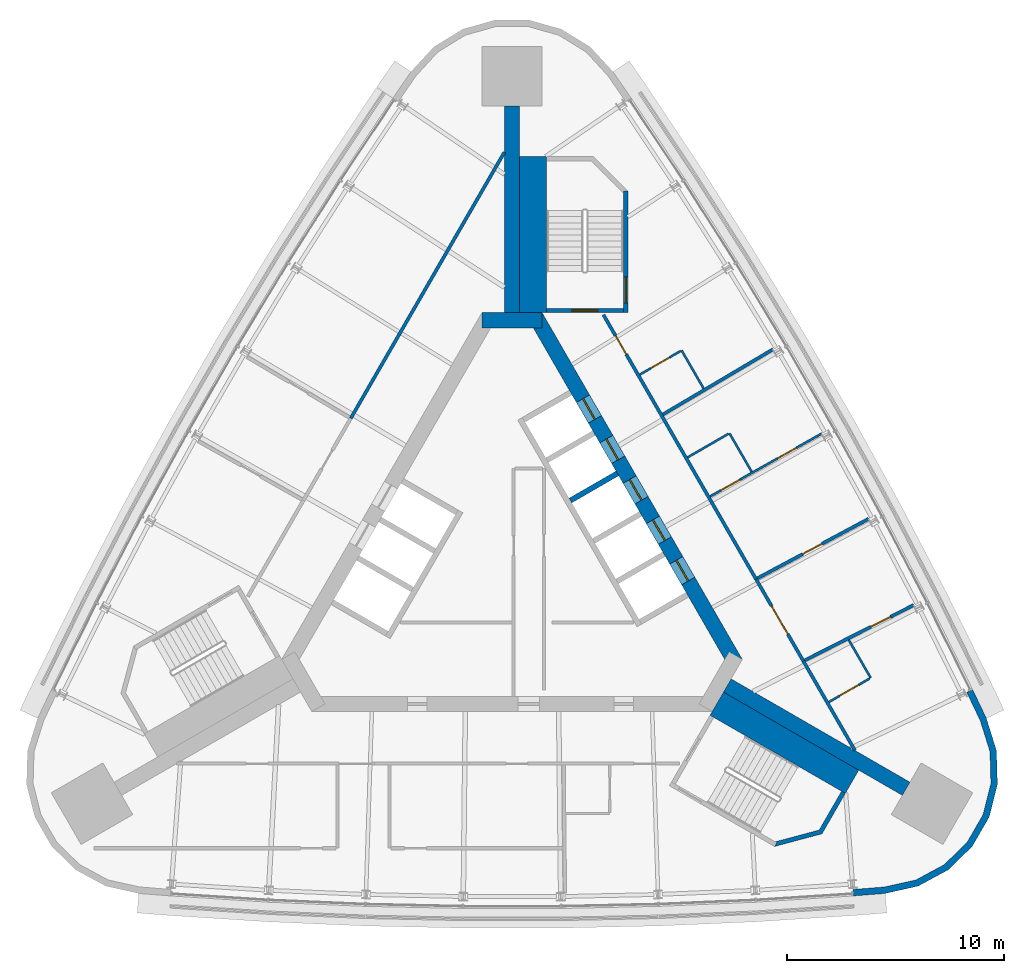
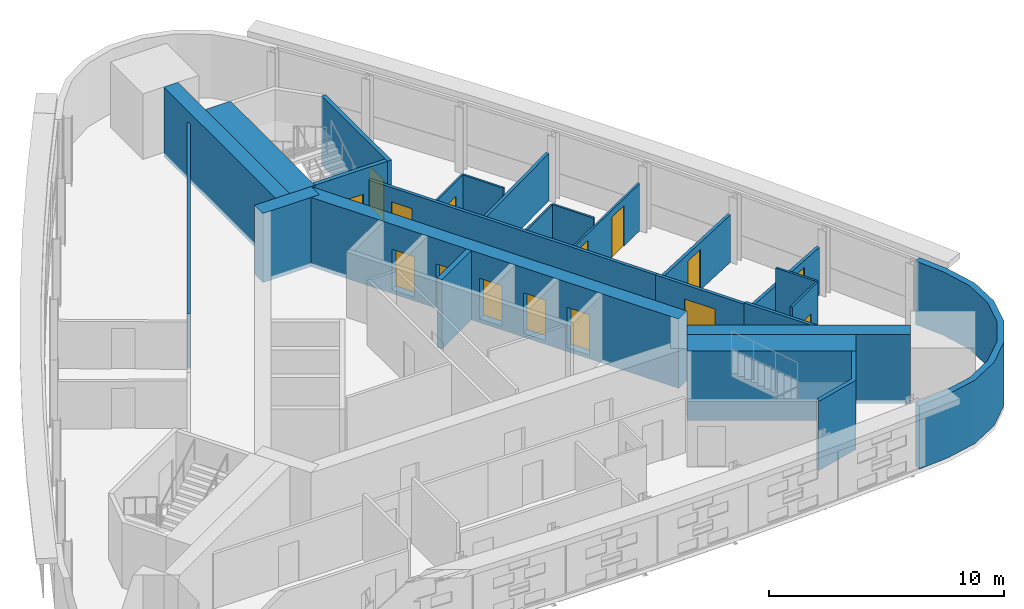
# One storey, part 9 of 12: 25 walls, 15 doors, 15 openings.
"""IFC4 building model written with IfcOpenShell, lengths in metres."""

from ifc_helpers import new_model, si_unit, direction, frame, frame_2d, origin, place, context, subcontext, project, spatial, polyline, rectangle, outline, extrude, material, layer, layer_set, type_object, element, fill, save


model = new_model("IFC4")

# Units and contexts
model_context = context("Model", 3, precision=1e-05, world=origin(), true_north=direction((0.0, 1.0)))
body_context = subcontext(model_context, "Body", "Model", "MODEL_VIEW")
ifc_project = project(units=[si_unit("LENGTHUNIT", "METRE"), si_unit("AREAUNIT", "SQUARE_METRE"), si_unit("VOLUMEUNIT", "CUBIC_METRE"), si_unit("PLANEANGLEUNIT", "RADIAN"), si_unit("MASSUNIT", "GRAM", prefix="KILO")], contexts=[model_context])

# Site, building, storey
site_placement = place(None, origin())
site = spatial("IfcSite", under=ifc_project, at=site_placement, CompositionType="ELEMENT")
building_placement = place(site_placement, origin())
building = spatial("IfcBuilding", under=site, at=building_placement, Name="Noor Cloister Tower", CompositionType="ELEMENT")
storey_placement = place(building_placement, frame((0.0, 0.0, 188.699951171875)))
storey = spatial("IfcBuildingStorey", under=building, at=storey_placement, Name="L48", CompositionType="ELEMENT", Elevation=188.699951171875)

# Walls
ifc_material_1 = material(Name="Concrete C70/85", Category="concrete")
ifc_layer_1 = layer(ifc_material_1, 0.699951171875)
ifc_layer_set_1 = layer_set([ifc_layer_1], Name="Buttress wall 700 C70/85")
wall_type_1 = type_object("IfcWallType", Name="Buttress wall 700 C70/85", PredefinedType="SHEAR", material=ifc_layer_set_1)
wall_1_placement = place(storey_placement, frame((0.0, 11.456298828125, -0.199951171875), z_axis=(0.0, 0.0, 1.0), x_axis=(0.0, 1.0, 0.0)))
element("IfcWall", 1, at=wall_1_placement, inside=storey, type_object=wall_type_1, Name="Buttress wall N L48", PredefinedType="SHEAR", context=body_context, shape_type="SweptSolid", body=[
    extrude(rectangle(XDim=9.521728515625, YDim=0.699951171875, at=frame_2d((4.7607421875, 0.0))), origin(), (0.0, 0.0, 1.0), 3.60009765625),
])
wall_2_placement = place(storey_placement, frame((9.921630859375, -5.728271484375, -0.199951171875), z_axis=(0.0, 0.0, 1.0), x_axis=(0.866025463095, -0.499999897272, 0.0)))
element("IfcWall", 2, at=wall_2_placement, inside=storey, type_object=wall_type_1, Name="Buttress wall SE L48", PredefinedType="SHEAR", context=body_context, shape_type="SweptSolid", body=[
    extrude(rectangle(XDim=9.521484375, YDim=0.699951171875, at=frame_2d((4.7607421875, 0.0))), origin(), (0.0, 0.0, 1.0), 3.60009765625),
])

# Wall, openings, doors
ifc_material_2 = material(Name="Concrete C70/85", Category="concrete")
ifc_layer_2 = layer(ifc_material_2, 0.699951171875)
ifc_layer_set_2 = layer_set([ifc_layer_2], Name="Core wall 700 C70/85")
wall_type_2 = type_object("IfcWallType", Name="Core wall 700 C70/85", PredefinedType="SHEAR", material=ifc_layer_set_2)
wall_3_placement = place(storey_placement, frame((10.311279296875, -4.703125, -0.199951171875), z_axis=(0.0, 0.0, 1.0), x_axis=(-0.500001446645, 0.866024568562, 0.0)))
wall_3 = element("IfcWall", 3, at=wall_3_placement, inside=storey, type_object=wall_type_2, Name="Core wall L48 3", PredefinedType="SHEAR", context=body_context, shape_type="SweptSolid", body=[
    extrude(rectangle(XDim=18.45751953125, YDim=0.699951171875, at=frame_2d((9.228759765625, 0.0))), origin(), (0.0, 0.0, 1.0), 3.60009765625),
])
opening_1_placement = place(wall_3_placement, frame((4.378662109375, 0.0, 0.199951171875)))
opening_1 = element("IfcOpeningElement", 4, at=opening_1_placement, cuts=wall_3, Name="Opening L48-HR1", PredefinedType="OPENING", context=body_context, shape_type="SweptSolid", body=[
    extrude(rectangle(XDim=1.10009765625, YDim=2.10009765625, at=frame_2d((0.550048828125, 1.050048828125))), frame((0.0, 0.35986328125, 0.0), z_axis=(0.0, -1.0, 0.0), x_axis=(1.0, 0.0, 0.0)), (0.0, 0.0, 1.0), 0.719970703125),
])
opening_2_placement = place(wall_3_placement, frame((6.52880859375, 0.0, 0.199951171875)))
opening_2 = element("IfcOpeningElement", 5, at=opening_2_placement, cuts=wall_3, Name="Opening L48-HR2", PredefinedType="OPENING", context=body_context, shape_type="SweptSolid", body=[
    extrude(rectangle(XDim=1.10009765625, YDim=2.10009765625, at=frame_2d((0.550048828125, 1.050048828125))), frame((0.0, 0.35986328125, 0.0), z_axis=(0.0, -1.0, 0.0), x_axis=(1.0, 0.0, 0.0)), (0.0, 0.0, 1.0), 0.719970703125),
])
opening_3_placement = place(wall_3_placement, frame((8.6787109375, 0.0, 0.199951171875)))
opening_3 = element("IfcOpeningElement", 6, at=opening_3_placement, cuts=wall_3, Name="Opening L48-HR3", PredefinedType="OPENING", context=body_context, shape_type="SweptSolid", body=[
    extrude(rectangle(XDim=1.10009765625, YDim=2.10009765625, at=frame_2d((0.550048828125, 1.050048828125))), frame((0.0, 0.35986328125, 0.0), z_axis=(0.0, -1.0, 0.0), x_axis=(1.0, 0.0, 0.0)), (0.0, 0.0, 1.0), 0.719970703125),
])
opening_4_placement = place(wall_3_placement, frame((10.82861328125, 0.0, 0.199951171875)))
opening_4 = element("IfcOpeningElement", 7, at=opening_4_placement, cuts=wall_3, Name="Opening L48-HR4", PredefinedType="OPENING", context=body_context, shape_type="SweptSolid", body=[
    extrude(rectangle(XDim=1.10009765625, YDim=2.10009765625, at=frame_2d((0.550048828125, 1.050048828125))), frame((0.0, 0.35986328125, 0.0), z_axis=(0.0, -1.0, 0.0), x_axis=(1.0, 0.0, 0.0)), (0.0, 0.0, 1.0), 0.719970703125),
])
opening_5_placement = place(wall_3_placement, frame((12.978759765625, 0.0, 0.199951171875)))
opening_5 = element("IfcOpeningElement", 8, at=opening_5_placement, cuts=wall_3, Name="Opening L48-HR5", PredefinedType="OPENING", context=body_context, shape_type="SweptSolid", body=[
    extrude(rectangle(XDim=1.10009765625, YDim=2.10009765625, at=frame_2d((0.550048828125, 1.050048828125))), frame((0.0, 0.35986328125, 0.0), z_axis=(0.0, -1.0, 0.0), x_axis=(1.0, 0.0, 0.0)), (0.0, 0.0, 1.0), 0.719970703125),
])
ifc_material_3 = material(Name="Stainless steel", Category="steel")
door_type_1 = type_object("IfcDoorType", Name="Lift landing door 1100 x 2100", OperationType="DOUBLE_DOOR_SLIDING", PredefinedType="DOOR", material=ifc_material_3)
door_1_placement = place(opening_1_placement, origin())
door_1 = element("IfcDoor", 9, at=door_1_placement, inside=storey, type_object=door_type_1, Name="Landing door HR1 L48", OperationType="DOUBLE_DOOR_SLIDING", OverallHeight=2.10009765625, OverallWidth=1.10009765625, PredefinedType="DOOR", context=body_context, shape_type="SweptSolid", body=[
    extrude(rectangle(XDim=1.10009765625, YDim=2.10009765625, at=frame_2d((0.550048828125, 1.050048828125))), frame((0.0, 0.02490234375, 0.0), z_axis=(0.0, -1.0, 0.0), x_axis=(1.0, 0.0, 0.0)), (0.0, 0.0, 1.0), 0.050048828125),
])
fill(opening_1, door_1)
door_2_placement = place(opening_2_placement, origin())
door_2 = element("IfcDoor", 10, at=door_2_placement, inside=storey, type_object=door_type_1, Name="Landing door HR2 L48", OperationType="DOUBLE_DOOR_SLIDING", OverallHeight=2.10009765625, OverallWidth=1.10009765625, PredefinedType="DOOR", context=body_context, shape_type="SweptSolid", body=[
    extrude(rectangle(XDim=1.10009765625, YDim=2.10009765625, at=frame_2d((0.550048828125, 1.050048828125))), frame((0.0, 0.02490234375, 0.0), z_axis=(0.0, -1.0, 0.0), x_axis=(1.0, 0.0, 0.0)), (0.0, 0.0, 1.0), 0.050048828125),
])
fill(opening_2, door_2)
door_3_placement = place(opening_3_placement, origin())
door_3 = element("IfcDoor", 11, at=door_3_placement, inside=storey, type_object=door_type_1, Name="Landing door HR3 L48", OperationType="DOUBLE_DOOR_SLIDING", OverallHeight=2.10009765625, OverallWidth=1.10009765625, PredefinedType="DOOR", context=body_context, shape_type="SweptSolid", body=[
    extrude(rectangle(XDim=1.10009765625, YDim=2.10009765625, at=frame_2d((0.550048828125, 1.050048828125))), frame((0.0, 0.02490234375, 0.0), z_axis=(0.0, -1.0, 0.0), x_axis=(1.0, 0.0, 0.0)), (0.0, 0.0, 1.0), 0.050048828125),
])
fill(opening_3, door_3)
door_4_placement = place(opening_4_placement, origin())
door_4 = element("IfcDoor", 12, at=door_4_placement, inside=storey, type_object=door_type_1, Name="Landing door HR4 L48", OperationType="DOUBLE_DOOR_SLIDING", OverallHeight=2.10009765625, OverallWidth=1.10009765625, PredefinedType="DOOR", context=body_context, shape_type="SweptSolid", body=[
    extrude(rectangle(XDim=1.10009765625, YDim=2.10009765625, at=frame_2d((0.550048828125, 1.050048828125))), frame((0.0, 0.02490234375, 0.0), z_axis=(0.0, -1.0, 0.0), x_axis=(1.0, 0.0, 0.0)), (0.0, 0.0, 1.0), 0.050048828125),
])
fill(opening_4, door_4)
door_5_placement = place(opening_5_placement, origin())
door_5 = element("IfcDoor", 13, at=door_5_placement, inside=storey, type_object=door_type_1, Name="Landing door HR5 L48", OperationType="DOUBLE_DOOR_SLIDING", OverallHeight=2.10009765625, OverallWidth=1.10009765625, PredefinedType="DOOR", context=body_context, shape_type="SweptSolid", body=[
    extrude(rectangle(XDim=1.10009765625, YDim=2.10009765625, at=frame_2d((0.550048828125, 1.050048828125))), frame((0.0, 0.02490234375, 0.0), z_axis=(0.0, -1.0, 0.0), x_axis=(1.0, 0.0, 0.0)), (0.0, 0.0, 1.0), 0.050048828125),
])
fill(opening_5, door_5)

# Walls
wall_4_placement = place(storey_placement, frame((1.3857421875, 11.1064453125, -0.199951171875), z_axis=(0.0, 0.0, 1.0), x_axis=(-1.0, 0.0, 0.0)))
element("IfcWall", 14, at=wall_4_placement, inside=storey, type_object=wall_type_2, Name="Core wall L48 4", PredefinedType="SHEAR", context=body_context, shape_type="SweptSolid", body=[
    extrude(rectangle(XDim=2.771484375, YDim=0.699951171875, at=frame_2d((1.3857421875, 0.0))), origin(), (0.0, 0.0, 1.0), 3.60009765625),
])
ifc_material_4 = material(Name="Fire-rated gypsum board partition on steel studs, 150 mm", Category="steel")
ifc_layer_3 = layer(ifc_material_4, 0.14990234375)
ifc_layer_set_3 = layer_set([ifc_layer_3], Name="Fire lobby wall 150")
wall_type_3 = type_object("IfcWallType", Name="Fire lobby wall 150", PredefinedType="PARTITIONING", material=ifc_layer_set_3)
wall_5_placement = place(storey_placement, frame((-0.35009765625, 18.85009765625, 0.0), z_axis=(0.0, 0.0, 1.0), x_axis=(-0.500005388685, -0.866022292603, 0.0)))
element("IfcWall", 15, at=wall_5_placement, inside=storey, type_object=wall_type_3, Name="Wall L48-W24", PredefinedType="PARTITIONING", context=body_context, shape_type="SweptSolid", body=[
    extrude(rectangle(XDim=14.166748046875, YDim=0.14990234375, at=frame_2d((7.08349609375, 0.0))), origin(), (0.0, 0.0, 1.0), 2.85205078125),
])
ifc_material_5 = material(Name="Gypsum board partition on steel studs, 150 mm", Category="steel")
ifc_layer_4 = layer(ifc_material_5, 0.14990234375)
ifc_layer_set_4 = layer_set([ifc_layer_4], Name="Flat wall 150")
wall_type_4 = type_object("IfcWallType", Name="Flat wall 150", PredefinedType="PARTITIONING", material=ifc_layer_set_4)
wall_6_placement = place(storey_placement, frame((15.806884765625, -8.721923828125, 0.0), z_axis=(0.0, 0.0, 1.0), x_axis=(-0.500015802937, 0.866016279763, 0.0)))
element("IfcWall", 16, at=wall_6_placement, inside=storey, type_object=wall_type_4, Name="Wall L48-W01", PredefinedType="PARTITIONING", context=body_context, shape_type="SweptSolid", body=[
    extrude(rectangle(XDim=4.754638671875, YDim=0.14990234375, at=frame_2d((2.37744140625, 0.0))), origin(), (0.0, 0.0, 1.0), 2.923095703125),
])

# Wall, opening, door
wall_7_placement = place(storey_placement, frame((11.2470703125, -0.82421875, 0.0), z_axis=(0.0, 0.0, 1.0), x_axis=(-0.499997921847, 0.866026603603, 0.0)))
wall_7 = element("IfcWall", 17, at=wall_7_placement, inside=storey, type_object=wall_type_4, Name="Wall L48-W02", PredefinedType="PARTITIONING", context=body_context, shape_type="SweptSolid", body=[
    extrude(rectangle(XDim=14.06494140625, YDim=0.14990234375, at=frame_2d((7.032470703125, 0.0))), origin(), (0.0, 0.0, 1.0), 2.85205078125),
])
opening_6_placement = place(wall_7_placement, frame((11.95263671875, 0.0, 0.0)))
opening_6 = element("IfcOpeningElement", 18, at=opening_6_placement, cuts=wall_7, Name="Opening L48-008", PredefinedType="OPENING", context=body_context, shape_type="SweptSolid", body=[
    extrude(rectangle(XDim=1.0, YDim=2.10009765625, at=frame_2d((0.5, 1.050048828125))), frame((0.0, 0.0849609375, 0.0), z_axis=(0.0, -1.0, 0.0), x_axis=(1.0, 0.0, 0.0)), (0.0, 0.0, 1.0), 0.169921875),
])
ifc_material_6 = material(Name="Timber door leaf with steel frame", Category="steel")
door_type_2 = type_object("IfcDoorType", Name="Flat entrance door 1000", OperationType="NOTDEFINED", PredefinedType="DOOR", material=ifc_material_6)
door_6_placement = place(opening_6_placement, origin())
door_6 = element("IfcDoor", 19, at=door_6_placement, inside=storey, type_object=door_type_2, Name="Door L48-008", OperationType="SINGLE_SWING_RIGHT", OverallHeight=2.10009765625, OverallWidth=1.0, PredefinedType="DOOR", context=body_context, shape_type="SweptSolid", body=[
    extrude(rectangle(XDim=1.0, YDim=2.10009765625, at=frame_2d((0.5, 1.050048828125))), frame((0.0, 0.02490234375, 0.0), z_axis=(0.0, -1.0, 0.0), x_axis=(1.0, 0.0, 0.0)), (0.0, 0.0, 1.0), 0.050048828125),
])
fill(opening_6, door_6)

wall_8_placement = place(storey_placement, frame((18.517822265625, -2.01904296875, 0.0), z_axis=(0.0, 0.0, 1.0), x_axis=(-0.891548029597, -0.452926164978, 0.0)))
wall_8 = element("IfcWall", 20, at=wall_8_placement, inside=storey, type_object=wall_type_4, Name="Wall L48-W03", PredefinedType="PARTITIONING", context=body_context, shape_type="SweptSolid", body=[
    extrude(rectangle(XDim=5.63232421875, YDim=0.14990234375, at=frame_2d((2.816162109375, 0.0))), origin(), (0.0, 0.0, 1.0), 2.4609375),
])
opening_7_placement = place(wall_8_placement, frame((1.201904296875, 0.0, 0.0)))
opening_7 = element("IfcOpeningElement", 21, at=opening_7_placement, cuts=wall_8, Name="Opening L48-003", PredefinedType="OPENING", context=body_context, shape_type="SweptSolid", body=[
    extrude(rectangle(XDim=1.0, YDim=2.10009765625, at=frame_2d((0.5, 1.050048828125))), frame((0.0, 0.0849609375, 0.0), z_axis=(0.0, -1.0, 0.0), x_axis=(1.0, 0.0, 0.0)), (0.0, 0.0, 1.0), 0.169921875),
])
door_7_placement = place(opening_7_placement, origin())
door_7 = element("IfcDoor", 22, at=door_7_placement, inside=storey, type_object=door_type_2, Name="Door L48-003", OperationType="SINGLE_SWING_LEFT", OverallHeight=2.10009765625, OverallWidth=1.0, PredefinedType="DOOR", context=body_context, shape_type="SweptSolid", body=[
    extrude(rectangle(XDim=1.0, YDim=2.10009765625, at=frame_2d((0.5, 1.050048828125))), frame((0.0, 0.02490234375, 0.0), z_axis=(0.0, -1.0, 0.0), x_axis=(1.0, 0.0, 0.0)), (0.0, 0.0, 1.0), 0.050048828125),
])
fill(opening_7, door_7)

wall_9_placement = place(storey_placement, frame((16.43994140625, 1.95556640625, 0.0), z_axis=(0.0, 0.0, 1.0), x_axis=(-0.881627849584, -0.471945266783, 0.0)))
wall_9 = element("IfcWall", 23, at=wall_9_placement, inside=storey, type_object=wall_type_4, Name="Wall L48-W04", PredefinedType="PARTITIONING", context=body_context, shape_type="SweptSolid", body=[
    extrude(rectangle(XDim=5.81494140625, YDim=0.14990234375, at=frame_2d((2.907470703125, 0.0))), origin(), (0.0, 0.0, 1.0), 2.4609375),
])
opening_8_placement = place(wall_9_placement, frame((2.445068359375, 0.0, 0.0)))
opening_8 = element("IfcOpeningElement", 24, at=opening_8_placement, cuts=wall_9, Name="Opening L48-006", PredefinedType="OPENING", context=body_context, shape_type="SweptSolid", body=[
    extrude(rectangle(XDim=1.0, YDim=2.10009765625, at=frame_2d((0.5, 1.050048828125))), frame((0.0, 0.0849609375, 0.0), z_axis=(0.0, -1.0, 0.0), x_axis=(1.0, 0.0, 0.0)), (0.0, 0.0, 1.0), 0.169921875),
])
door_8_placement = place(opening_8_placement, origin())
door_8 = element("IfcDoor", 25, at=door_8_placement, inside=storey, type_object=door_type_2, Name="Door L48-006", OperationType="SINGLE_SWING_RIGHT", OverallHeight=2.10009765625, OverallWidth=1.0, PredefinedType="DOOR", context=body_context, shape_type="SweptSolid", body=[
    extrude(rectangle(XDim=1.0, YDim=2.10009765625, at=frame_2d((0.5, 1.050048828125))), frame((0.0, 0.02490234375, 0.0), z_axis=(0.0, -1.0, 0.0), x_axis=(1.0, 0.0, 0.0)), (0.0, 0.0, 1.0), 0.050048828125),
])
fill(opening_8, door_8)

wall_10_placement = place(storey_placement, frame((13.429443359375, -4.604248046875, 0.0), z_axis=(0.0, 0.0, 1.0), x_axis=(-0.499995208485, 0.866028170149, 0.0)))
wall_10 = element("IfcWall", 26, at=wall_10_placement, inside=storey, type_object=wall_type_4, Name="Wall L48-W05", PredefinedType="PARTITIONING", context=body_context, shape_type="SweptSolid", body=[
    extrude(rectangle(XDim=4.36474609375, YDim=0.14990234375, at=frame_2d((2.182373046875, 0.0))), origin(), (0.0, 0.0, 1.0), 2.85205078125),
])
opening_9_placement = place(wall_10_placement, frame((1.432373046875, 0.0, 0.0)))
opening_9 = element("IfcOpeningElement", 27, at=opening_9_placement, cuts=wall_10, Name="Opening L48-001", PredefinedType="OPENING", context=body_context, shape_type="SweptSolid", body=[
    extrude(rectangle(XDim=1.5, YDim=2.10009765625, at=frame_2d((0.75, 1.050048828125))), frame((0.0, 0.0849609375, 0.0), z_axis=(0.0, -1.0, 0.0), x_axis=(1.0, 0.0, 0.0)), (0.0, 0.0, 1.0), 0.169921875),
])
ifc_material_7 = material(Name="Timber door leaf with steel frame", Category="steel")
door_type_3 = type_object("IfcDoorType", Name="Double door 1500 FD60", OperationType="NOTDEFINED", PredefinedType="DOOR", material=ifc_material_7)
door_9_placement = place(opening_9_placement, origin())
door_9 = element("IfcDoor", 28, at=door_9_placement, inside=storey, type_object=door_type_3, Name="Door L48-001", OperationType="DOUBLE_DOOR_SINGLE_SWING", OverallHeight=2.10009765625, OverallWidth=1.5, PredefinedType="DOOR", context=body_context, shape_type="SweptSolid", body=[
    extrude(rectangle(XDim=1.5, YDim=2.10009765625, at=frame_2d((0.75, 1.050048828125))), frame((0.0, 0.02490234375, 0.0), z_axis=(0.0, -1.0, 0.0), x_axis=(1.0, 0.0, 0.0)), (0.0, 0.0, 1.0), 0.050048828125),
])
fill(opening_9, door_9)

# Walls
wall_11_placement = place(storey_placement, frame((12.03125, 9.766357421875, 0.0), z_axis=(0.0, 0.0, 1.0), x_axis=(-0.860638865546, -0.509215811922, 0.0)))
element("IfcWall", 29, at=wall_11_placement, inside=storey, type_object=wall_type_4, Name="Wall L48-W11", PredefinedType="PARTITIONING", context=body_context, shape_type="SweptSolid", body=[
    extrude(rectangle(XDim=5.899658203125, YDim=0.14990234375, at=frame_2d((2.94970703125, 0.0))), origin(), (0.0, 0.0, 1.0), 2.4609375),
])
ifc_material_8 = material(Name="Limestone", Category="masonry")
ifc_layer_5 = layer(ifc_material_8, 0.300048828125)
ifc_layer_set_5 = layer_set([ifc_layer_5], Name="Limestone cladding 300")
wall_type_5 = type_object("IfcWallType", Name="Limestone cladding 300", PredefinedType="NOTDEFINED", material=ifc_layer_set_5)
wall_12_placement = place(storey_placement, origin())
element("IfcWall", 30, at=wall_12_placement, inside=storey, type_object=wall_type_5, Name="Limestone pier cladding L48 2.1", PredefinedType="NOTDEFINED", context=body_context, shape_type="SweptSolid", body=[
    extrude(outline(polyline([(15.7353515625, -15.428955078125), (17.205078125, -15.3134765625), (18.7255859375, -14.973876953125), (20.095947265625, -14.23291015625), (21.212890625, -13.146728515625), (21.991943359375, -11.797607421875), (22.3740234375, -10.287109375), (22.330322265625, -8.72998046875), (21.864501953125, -7.2431640625), (21.2294921875, -5.91259765625), (20.958740234375, -6.041748046875), (21.58447265625, -7.353271484375), (22.03173828125, -8.77978515625), (22.072998046875, -10.25390625), (21.711181640625, -11.68359375), (20.973876953125, -12.960693359375), (19.916748046875, -13.98876953125), (18.619384765625, -14.690185546875), (17.160400390625, -15.01611328125), (15.711669921875, -15.1298828125), (15.7353515625, -15.428955078125)])), origin(), (0.0, 0.0, 1.0), 3.300048828125),
])
ifc_material_9 = material(Name="Gypsum board partition on steel studs, 100 mm", Category="steel")
ifc_layer_6 = layer(ifc_material_9, 0.10009765625)
ifc_layer_set_6 = layer_set([ifc_layer_6], Name="Partition 100")
wall_type_6 = type_object("IfcWallType", Name="Partition 100", PredefinedType="PARTITIONING", material=ifc_layer_set_6)
wall_13_placement = place(storey_placement, frame((15.5205078125, -3.6259765625, 0.0), z_axis=(0.0, 0.0, 1.0), x_axis=(0.500042536776, -0.866000843773, 0.0)))
element("IfcWall", 31, at=wall_13_placement, inside=storey, type_object=wall_type_6, Name="Wall L48-W06", PredefinedType="PARTITIONING", context=body_context, shape_type="SweptSolid", body=[
    extrude(rectangle(XDim=2.024658203125, YDim=0.10009765625, at=frame_2d((1.01220703125, 0.0))), origin(), (0.0, 0.0, 1.0), 3.400146484375),
])

# Wall, opening, door
wall_14_placement = place(storey_placement, frame((16.48974609375, -5.404541015625, 0.0), z_axis=(0.0, 0.0, 1.0), x_axis=(-0.866065968399, -0.499929733443, 0.0)))
wall_14 = element("IfcWall", 32, at=wall_14_placement, inside=storey, type_object=wall_type_6, Name="Wall L48-W07", PredefinedType="PARTITIONING", context=body_context, shape_type="SweptSolid", body=[
    extrude(rectangle(XDim=2.175048828125, YDim=0.10009765625, at=frame_2d((1.08740234375, 0.0))), origin(), (0.0, 0.0, 1.0), 3.400146484375),
])
opening_10_placement = place(wall_14_placement, frame((0.60009765625, 0.0, 0.0)))
opening_10 = element("IfcOpeningElement", 33, at=opening_10_placement, cuts=wall_14, Name="Opening L48-002", PredefinedType="OPENING", context=body_context, shape_type="SweptSolid", body=[
    extrude(rectangle(XDim=1.0, YDim=2.10009765625, at=frame_2d((0.5, 1.050048828125))), frame((0.0, 0.06005859375, 0.0), z_axis=(0.0, -1.0, 0.0), x_axis=(1.0, 0.0, 0.0)), (0.0, 0.0, 1.0), 0.1201171875),
])
ifc_material_10 = material(Name="Timber door leaf with steel frame", Category="steel")
door_type_4 = type_object("IfcDoorType", Name="Interior door 1000", OperationType="NOTDEFINED", PredefinedType="DOOR", material=ifc_material_10)
door_10_placement = place(opening_10_placement, origin())
door_10 = element("IfcDoor", 34, at=door_10_placement, inside=storey, type_object=door_type_4, Name="Door L48-002", OperationType="SINGLE_SWING_RIGHT", OverallHeight=2.10009765625, OverallWidth=1.0, PredefinedType="DOOR", context=body_context, shape_type="SweptSolid", body=[
    extrude(rectangle(XDim=1.0, YDim=2.10009765625, at=frame_2d((0.5, 1.050048828125))), frame((0.0, 0.02490234375, 0.0), z_axis=(0.0, -1.0, 0.0), x_axis=(1.0, 0.0, 0.0)), (0.0, 0.0, 1.0), 0.050048828125),
])
fill(opening_10, door_10)

# Wall, openings, doors
wall_15_placement = place(storey_placement, frame((14.27734375, 5.884521484375, 0.0), z_axis=(0.0, 0.0, 1.0), x_axis=(-0.871335785584, -0.490687220907, 0.0)))
wall_15 = element("IfcWall", 35, at=wall_15_placement, inside=storey, type_object=wall_type_6, Name="Wall L48-W08", PredefinedType="PARTITIONING", context=body_context, shape_type="SweptSolid", body=[
    extrude(rectangle(XDim=5.90380859375, YDim=0.10009765625, at=frame_2d((2.951904296875, 0.0))), origin(), (0.0, 0.0, 1.0), 2.4609375),
])
opening_11_placement = place(wall_15_placement, frame((1.33935546875, 0.0, 0.0)))
opening_11 = element("IfcOpeningElement", 36, at=opening_11_placement, cuts=wall_15, Name="Opening L48-004", PredefinedType="OPENING", context=body_context, shape_type="SweptSolid", body=[
    extrude(rectangle(XDim=1.0, YDim=2.10009765625, at=frame_2d((0.5, 1.050048828125))), frame((0.0, 0.06005859375, 0.0), z_axis=(0.0, -1.0, 0.0), x_axis=(1.0, 0.0, 0.0)), (0.0, 0.0, 1.0), 0.1201171875),
])
opening_12_placement = place(wall_15_placement, frame((4.328857421875, 0.0, 0.0)))
opening_12 = element("IfcOpeningElement", 37, at=opening_12_placement, cuts=wall_15, Name="Opening L48-005", PredefinedType="OPENING", context=body_context, shape_type="SweptSolid", body=[
    extrude(rectangle(XDim=1.0, YDim=2.10009765625, at=frame_2d((0.5, 1.050048828125))), frame((0.0, 0.06005859375, 0.0), z_axis=(0.0, -1.0, 0.0), x_axis=(1.0, 0.0, 0.0)), (0.0, 0.0, 1.0), 0.1201171875),
])
door_11_placement = place(opening_11_placement, origin())
door_11 = element("IfcDoor", 38, at=door_11_placement, inside=storey, type_object=door_type_4, Name="Door L48-004", OperationType="SINGLE_SWING_RIGHT", OverallHeight=2.10009765625, OverallWidth=1.0, PredefinedType="DOOR", context=body_context, shape_type="SweptSolid", body=[
    extrude(rectangle(XDim=1.0, YDim=2.10009765625, at=frame_2d((0.5, 1.050048828125))), frame((0.0, 0.02490234375, 0.0), z_axis=(0.0, -1.0, 0.0), x_axis=(1.0, 0.0, 0.0)), (0.0, 0.0, 1.0), 0.050048828125),
])
fill(opening_11, door_11)
door_12_placement = place(opening_12_placement, origin())
door_12 = element("IfcDoor", 39, at=door_12_placement, inside=storey, type_object=door_type_4, Name="Door L48-005", OperationType="SINGLE_SWING_LEFT", OverallHeight=2.10009765625, OverallWidth=1.0, PredefinedType="DOOR", context=body_context, shape_type="SweptSolid", body=[
    extrude(rectangle(XDim=1.0, YDim=2.10009765625, at=frame_2d((0.5, 1.050048828125))), frame((0.0, 0.02490234375, 0.0), z_axis=(0.0, -1.0, 0.0), x_axis=(1.0, 0.0, 0.0)), (0.0, 0.0, 1.0), 0.050048828125),
])
fill(opening_12, door_12)

# Walls
wall_16_placement = place(storey_placement, frame((11.046875, 4.122802734375, 0.0), z_axis=(0.0, 0.0, 1.0), x_axis=(-0.500007699544, 0.866020958405, 0.0)))
element("IfcWall", 40, at=wall_16_placement, inside=storey, type_object=wall_type_6, Name="Wall L48-W09", PredefinedType="PARTITIONING", context=body_context, shape_type="SweptSolid", body=[
    extrude(rectangle(XDim=2.0498046875, YDim=0.10009765625, at=frame_2d((1.02490234375, 0.0))), origin(), (0.0, 0.0, 1.0), 2.85205078125),
])
wall_17_placement = place(storey_placement, frame((9.978515625, 5.873046875, 0.0), z_axis=(0.0, 0.0, 1.0), x_axis=(-0.866037911478, -0.499978335414, 0.0)))
element("IfcWall", 41, at=wall_17_placement, inside=storey, type_object=wall_type_6, Name="Wall L48-W10", PredefinedType="PARTITIONING", context=body_context, shape_type="SweptSolid", body=[
    extrude(rectangle(XDim=2.1748046875, YDim=0.10009765625, at=frame_2d((1.08740234375, 0.0))), origin(), (0.0, 0.0, 1.0), 2.85205078125),
])
wall_18_placement = place(storey_placement, frame((8.831298828125, 7.960205078125, 0.0), z_axis=(0.0, 0.0, 1.0), x_axis=(-0.499990325971, 0.866030989016, 0.0)))
element("IfcWall", 42, at=wall_18_placement, inside=storey, type_object=wall_type_6, Name="Wall L48-W12", PredefinedType="PARTITIONING", context=body_context, shape_type="SweptSolid", body=[
    extrude(rectangle(XDim=2.02490234375, YDim=0.10009765625, at=frame_2d((1.012451171875, 0.0))), origin(), (0.0, 0.0, 1.0), 2.85205078125),
])

# Wall, opening, door
wall_19_placement = place(storey_placement, frame((7.775390625, 9.68896484375, 0.0), z_axis=(0.0, 0.0, 1.0), x_axis=(-0.865989304205, -0.500062521093, 0.0)))
wall_19 = element("IfcWall", 43, at=wall_19_placement, inside=storey, type_object=wall_type_6, Name="Wall L48-W13", PredefinedType="PARTITIONING", context=body_context, shape_type="SweptSolid", body=[
    extrude(rectangle(XDim=2.175048828125, YDim=0.10009765625, at=frame_2d((1.08740234375, 0.0))), origin(), (0.0, 0.0, 1.0), 2.85205078125),
])
opening_13_placement = place(wall_19_placement, frame((0.60009765625, 0.0, 0.0)))
opening_13 = element("IfcOpeningElement", 44, at=opening_13_placement, cuts=wall_19, Name="Opening L48-007", PredefinedType="OPENING", context=body_context, shape_type="SweptSolid", body=[
    extrude(rectangle(XDim=1.0, YDim=2.10009765625, at=frame_2d((0.5, 1.050048828125))), frame((0.0, 0.06005859375, 0.0), z_axis=(0.0, -1.0, 0.0), x_axis=(1.0, 0.0, 0.0)), (0.0, 0.0, 1.0), 0.1201171875),
])
door_13_placement = place(opening_13_placement, origin())
door_13 = element("IfcDoor", 45, at=door_13_placement, inside=storey, type_object=door_type_4, Name="Door L48-007", OperationType="SINGLE_SWING_LEFT", OverallHeight=2.10009765625, OverallWidth=1.0, PredefinedType="DOOR", context=body_context, shape_type="SweptSolid", body=[
    extrude(rectangle(XDim=1.0, YDim=2.10009765625, at=frame_2d((0.5, 1.050048828125))), frame((0.0, 0.02490234375, 0.0), z_axis=(0.0, -1.0, 0.0), x_axis=(1.0, 0.0, 0.0)), (0.0, 0.0, 1.0), 0.050048828125),
])
fill(opening_13, door_13)

# Walls
ifc_material_11 = material(Name="Concrete C70/85", Category="concrete")
ifc_layer_7 = layer(ifc_material_11, 0.25)
ifc_layer_set_7 = layer_set([ifc_layer_7], Name="Shaft wall 250 C70/85")
wall_type_7 = type_object("IfcWallType", Name="Shaft wall 250 C70/85", PredefinedType="PARTITIONING", material=ifc_layer_set_7)
wall_20_placement = place(storey_placement, frame((4.856201171875, 4.045166015625, -0.199951171875), z_axis=(0.0, 0.0, 1.0), x_axis=(-0.866022959057, -0.500004234368, 0.0)))
element("IfcWall", 46, at=wall_20_placement, inside=storey, type_object=wall_type_7, Name="Lift shaft wall L48 NE 4", PredefinedType="PARTITIONING", context=body_context, shape_type="SweptSolid", body=[
    extrude(rectangle(XDim=2.5, YDim=0.25, at=frame_2d((1.25, 0.0))), origin(), (0.0, 0.0, 1.0), 3.60009765625),
])
ifc_material_12 = material(Name="Concrete C70/85", Category="concrete")
ifc_layer_8 = layer(ifc_material_12, 1.236083984375)
ifc_layer_set_8 = layer_set([ifc_layer_8], Name="Stair enclosure wall 1236 C70/85")
wall_type_8 = type_object("IfcWallType", Name="Stair enclosure wall 1236 C70/85", PredefinedType="SHEAR", material=ifc_layer_set_8)
for number, where, z_axis, x_axis, name in (
    (47, (0.9677734375, 11.456298828125, -0.199951171875), (0.0, 0.0, 1.0), (0.0, 1.0, 0.0), "Stair enclosure wall ST1 L48 riser side"),
    (48, (9.4375, -6.56640625, -0.199951171875), (0.0, 0.0, 1.0), (0.866026919366, -0.499997374926, 0.0), "Stair enclosure wall ST3 L48 riser side"),
):
    element("IfcWall", number, at=place(storey_placement, frame(where, z_axis=z_axis, x_axis=x_axis)), inside=storey, type_object=wall_type_8, Name=name, PredefinedType="SHEAR", context=body_context, shape_type="SweptSolid", body=[
        extrude(rectangle(XDim=7.2001953125, YDim=1.235595703125, at=frame_2d((3.60009765625, 0.0))), origin(), (0.0, 0.0, 1.0), 3.60009765625),
    ])

# Wall, opening, door
ifc_material_13 = material(Name="Concrete C70/85", Category="concrete")
ifc_layer_9 = layer(ifc_material_13, 0.199951171875)
ifc_layer_set_9 = layer_set([ifc_layer_9], Name="Stair enclosure wall 200 C70/85")
wall_type_9 = type_object("IfcWallType", Name="Stair enclosure wall 200 C70/85", PredefinedType="SHEAR", material=ifc_layer_set_9)
wall_21_placement = place(storey_placement, frame((5.135498046875, 11.556396484375, -0.199951171875), z_axis=(0.0, 0.0, 1.0), x_axis=(-1.0, 0.0, 0.0)))
wall_21 = element("IfcWall", 49, at=wall_21_placement, inside=storey, type_object=wall_type_9, Name="Stair enclosure wall ST1 L48 near end", PredefinedType="SHEAR", context=body_context, shape_type="SweptSolid", body=[
    extrude(rectangle(XDim=3.5498046875, YDim=0.199951171875, at=frame_2d((1.77490234375, 0.0))), origin(), (0.0, 0.0, 1.0), 3.60009765625),
])
opening_14_placement = place(wall_21_placement, frame((1.175048828125, 0.0, 0.199951171875)))
opening_14 = element("IfcOpeningElement", 50, at=opening_14_placement, cuts=wall_21, Name="Opening L48-ST1L", PredefinedType="OPENING", context=body_context, shape_type="SweptSolid", body=[
    extrude(rectangle(XDim=1.199951171875, YDim=2.10009765625, at=frame_2d((0.60009765625, 1.050048828125))), frame((0.0, 0.10986328125, 0.0), z_axis=(0.0, -1.0, 0.0), x_axis=(1.0, 0.0, 0.0)), (0.0, 0.0, 1.0), 0.219970703125),
])
ifc_material_14 = material(Name="Steel", Category="steel")
door_type_5 = type_object("IfcDoorType", Name="Stair door 1200 x 2100 FD120", OperationType="SINGLE_SWING_LEFT", PredefinedType="DOOR", material=ifc_material_14)
door_14_placement = place(opening_14_placement, origin())
door_14 = element("IfcDoor", 51, at=door_14_placement, inside=storey, type_object=door_type_5, Name="Stair door ST1 L48", OperationType="SINGLE_SWING_RIGHT", OverallHeight=2.10009765625, OverallWidth=1.199951171875, PredefinedType="DOOR", context=body_context, shape_type="SweptSolid", body=[
    extrude(rectangle(XDim=1.199951171875, YDim=2.10009765625, at=frame_2d((0.60009765625, 1.050048828125))), frame((0.0, 0.02490234375, 0.0), z_axis=(0.0, -1.0, 0.0), x_axis=(1.0, 0.0, 0.0)), (0.0, 0.0, 1.0), 0.050048828125),
])
fill(opening_14, door_14)

wall_22_placement = place(storey_placement, frame((5.235595703125, 11.456298828125, -0.199951171875), z_axis=(0.0, 0.0, 1.0), x_axis=(0.0, 1.0, 0.0)))
wall_22 = element("IfcWall", 52, at=wall_22_placement, inside=storey, type_object=wall_type_9, Name="Stair enclosure wall ST1 L48 outer side", PredefinedType="SHEAR", context=body_context, shape_type="SweptSolid", body=[
    extrude(rectangle(XDim=5.60009765625, YDim=0.199951171875, at=frame_2d((2.800048828125, 0.0))), origin(), (0.0, 0.0, 1.0), 3.60009765625),
])
opening_15_placement = place(wall_22_placement, frame((0.449951171875, 0.0, 0.199951171875)))
opening_15 = element("IfcOpeningElement", 53, at=opening_15_placement, cuts=wall_22, Name="Opening L48-ST1C", PredefinedType="OPENING", context=body_context, shape_type="SweptSolid", body=[
    extrude(rectangle(XDim=1.199951171875, YDim=2.10009765625, at=frame_2d((0.60009765625, 1.050048828125))), frame((0.0, 0.10986328125, 0.0), z_axis=(0.0, -1.0, 0.0), x_axis=(1.0, 0.0, 0.0)), (0.0, 0.0, 1.0), 0.219970703125),
])
door_15_placement = place(opening_15_placement, origin())
door_15 = element("IfcDoor", 54, at=door_15_placement, inside=storey, type_object=door_type_5, Name="Stair door ST1 L48", OperationType="SINGLE_SWING_LEFT", OverallHeight=2.10009765625, OverallWidth=1.199951171875, PredefinedType="DOOR", context=body_context, shape_type="SweptSolid", body=[
    extrude(rectangle(XDim=1.199951171875, YDim=2.10009765625, at=frame_2d((0.60009765625, 1.050048828125))), frame((0.0, 0.02490234375, 0.0), z_axis=(0.0, -1.0, 0.0), x_axis=(1.0, 0.0, 0.0)), (0.0, 0.0, 1.0), 0.050048828125),
])
fill(opening_15, door_15)

# Wall
ifc_material_15 = material(Name="Concrete C70/85", Category="concrete")
wall_type_10 = type_object("IfcWallType", Name="Stair far end wall C70/85", PredefinedType="SHEAR", material=ifc_material_15)
wall_23_placement = place(storey_placement, frame((0.0, 0.0, -0.199951171875)))
element("IfcWall", 55, at=wall_23_placement, inside=storey, type_object=wall_type_10, Name="Stair enclosure wall ST3 L48 far end", PredefinedType="SHEAR", context=body_context, shape_type="SweptSolid", body=[
    extrude(outline(polyline([(12.103515625, -13.14892578125), (14.2890625, -12.5634765625), (15.364013671875, -10.701416015625), (15.19091796875, -10.601318359375), (14.1572265625, -12.3916015625), (12.131591796875, -12.934326171875), (12.20361328125, -12.975830078125), (12.20361328125, -12.975830078125), (12.20361328125, -12.975830078125), (12.20361328125, -12.975830078125), (12.20361328125, -12.975830078125), (12.20361328125, -12.975830078125), (12.20361328125, -12.975830078125), (12.20361328125, -12.975830078125), (12.20361328125, -12.975830078125), (12.20361328125, -12.975830078125), (12.20361328125, -12.975830078125), (12.20361328125, -12.975830078125), (12.20361328125, -12.975830078125), (12.20361328125, -12.975830078125), (12.20361328125, -12.975830078125), (12.20361328125, -12.975830078125), (12.20361328125, -12.975830078125), (12.103515625, -13.14892578125)])), origin(), (0.0, 0.0, 1.0), 3.60009765625),
])

save(model, "model.ifc")
